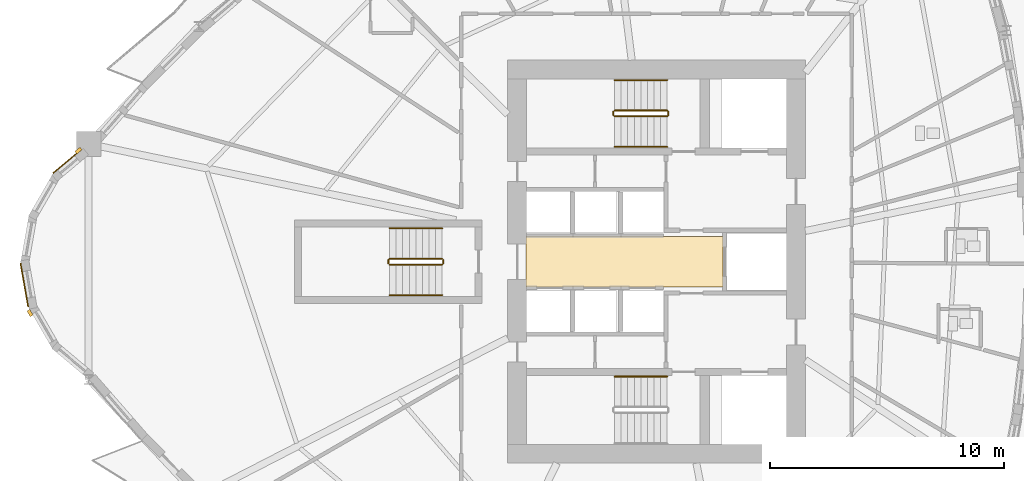
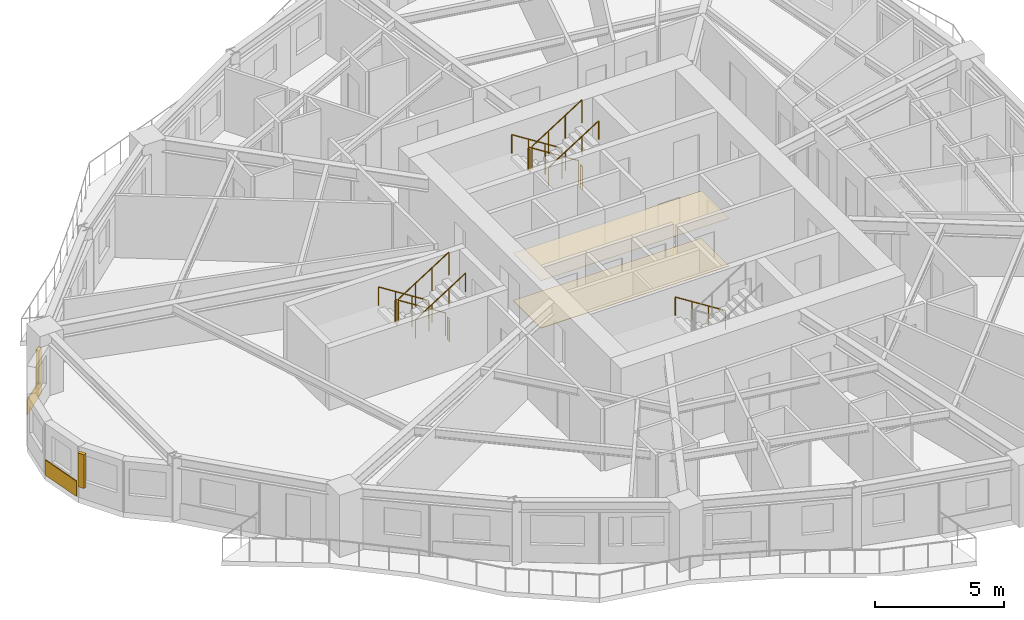
# One storey, part 11 of 13: 13 railings, 4 coverings, 2 shading devices.
"""IFC4 building model written with IfcOpenShell, lengths in metres."""

from ifc_helpers import new_model, si_unit, direction, frame, origin, origin_2d, place, context, subcontext, project, spatial, polyline, rectangle, circle, outline, extrude, source, transform, mapped, material, layer, layer_set, type_object, element, save


model = new_model("IFC4")

# Units and contexts
model_context = context("Model", 3, precision=1e-05, world=origin(), true_north=direction((0.0, 1.0)))
body_context = subcontext(model_context, "Body", "Model", "MODEL_VIEW")
ifc_project = project(units=[si_unit("LENGTHUNIT", "METRE"), si_unit("AREAUNIT", "SQUARE_METRE"), si_unit("VOLUMEUNIT", "CUBIC_METRE"), si_unit("PLANEANGLEUNIT", "RADIAN"), si_unit("MASSUNIT", "GRAM", prefix="KILO")], contexts=[model_context])

# Site, building, storey
site_placement = place(None, origin())
site = spatial("IfcSite", under=ifc_project, at=site_placement, CompositionType="ELEMENT")
building_placement = place(site_placement, origin())
building = spatial("IfcBuilding", under=site, at=building_placement, Name="Qafzar Sky-Pleat Residences", CompositionType="ELEMENT")
storey_placement = place(building_placement, frame((0.0, 0.0, 49.39990234375)))
storey = spatial("IfcBuildingStorey", under=building, at=storey_placement, Name="L14", CompositionType="ELEMENT", Elevation=49.39990234375)

# Coverings
ifc_material_1 = material(Name="Perforated acoustic gypsum board ceiling")
ifc_layer_1 = layer(ifc_material_1, 0.02001953125)
ifc_layer_set_1 = layer_set([ifc_layer_1], Name="Perforated acoustic gypsum board ceiling")
covering_type_1 = type_object("IfcCoveringType", Name="COV-CEIL-ACOUSTIC", PredefinedType="CEILING", material=ifc_layer_set_1)
covering_1_placement = place(storey_placement, frame((0.0, 0.0, 2.239990234375)))
element("IfcCovering", 1, at=covering_1_placement, inside=storey, type_object=covering_type_1, Name="L14 Passenger Lift Lobby Acoustic Ceiling", PredefinedType="CEILING", context=body_context, shape_type="SweptSolid", body=[
    extrude(outline(polyline([(33.179931640625, 24.919921875), (24.77001953125, 24.919921875), (24.77001953125, 27.080078125), (33.179931640625, 27.080078125), (33.179931640625, 24.919921875)])), origin(), (0.0, 0.0, 1.0), 0.02001953125),
])
ifc_material_2 = material(Name="Honed porcelain and Riyadh stone tile flooring", Category="masonry")
ifc_layer_2 = layer(ifc_material_2, 0.02001953125)
ifc_layer_set_2 = layer_set([ifc_layer_2], Name="Honed porcelain and Riyadh stone tile flooring")
covering_type_2 = type_object("IfcCoveringType", Name="COV-FLR-PORCELAIN", PredefinedType="FLOORING", material=ifc_layer_set_2)
covering_2_placement = place(storey_placement, origin())
element("IfcCovering", 2, at=covering_2_placement, inside=storey, type_object=covering_type_2, Name="L14 Passenger Lift Lobby Honed Stone Flooring", PredefinedType="FLOORING", context=body_context, shape_type="SweptSolid", body=[
    extrude(outline(polyline([(33.179931640625, 24.919921875), (24.77001953125, 24.919921875), (24.77001953125, 27.080078125), (33.179931640625, 27.080078125), (33.179931640625, 24.919921875)])), origin(), (0.0, 0.0, 1.0), 0.02001953125),
])
ifc_material_3 = material(Name="Honed Riyadh Tuwaiq limestone cladding", Category="masonry")
ifc_layer_3 = layer(ifc_material_3, 0.044921875)
ifc_layer_set_3 = layer_set([ifc_layer_3], Name="Honed Riyadh Tuwaiq limestone cladding")
covering_type_3 = type_object("IfcCoveringType", Name="COV-CLAD-STONE", PredefinedType="CLADDING", material=ifc_layer_set_3)
shared_shape_1 = source(origin(), body_context, "Body", "SweptSolid", [
    extrude(rectangle(XDim=1.5771484375, YDim=0.044921875, at=origin_2d()), origin(), (0.0, 0.0, 1.0), 0.719970703125),
])
covering_3_placement = place(storey_placement, frame((5.204833984375, 30.28369140625, 0.02001953125), z_axis=(0.0, 0.0, 1.0), x_axis=(-0.766074606481, -0.642751660678, 0.0)))
element("IfcCovering", 3, at=covering_3_placement, inside=storey, type_object=covering_type_3, Name="L14 Riyadh Limestone Spandrel Cladding 1", PredefinedType="CLADDING", context=body_context, shape_type="MappedRepresentation", body=[
    mapped(shared_shape_1, transform((0.0, 0.0, 0.0), x_axis=(1.0, 0.0, 0.0), y_axis=(0.0, 1.0, 0.0), z_axis=(0.0, 0.0, 1.0), scale=1.0)),
])

# Shading devices
ifc_material_4 = material(Name="Honed Riyadh limestone solar fin", Category="masonry")
ifc_layer_4 = layer(ifc_material_4, 0.139892578125)
ifc_layer_set_4 = layer_set([ifc_layer_4], Name="Honed Riyadh limestone solar fin")
shading_device_type = type_object("IfcShadingDeviceType", Name="SHD-FIN-STONE", PredefinedType="SHUTTER", material=ifc_layer_set_4)
shared_shape_2 = source(origin(), body_context, "Body", "SweptSolid", [
    extrude(rectangle(XDim=0.139892578125, YDim=0.280029296875, at=origin_2d()), origin(), (0.0, 0.0, 1.0), 1.60009765625),
])
for number, where, z_axis, x_axis, name in (
    (4, (5.682861328125, 30.740966796875, 0.60009765625), (0.0, 0.0, 1.0), (-0.642754210861, 0.76607246682, 0.0), "L14 Limestone Solar Fin 1"),
    (5, (3.614501953125, 23.80859375, 0.60009765625), (0.0, 0.0, 1.0), (-0.86604422228, -0.499967403994, 0.0), "L14 Limestone Solar Fin 5"),
):
    element("IfcShadingDevice", number, at=place(storey_placement, frame(where, z_axis=z_axis, x_axis=x_axis)), inside=storey, type_object=shading_device_type, Name=name, PredefinedType="SHUTTER", context=body_context, shape_type="MappedRepresentation", body=[
        mapped(shared_shape_2, transform((0.0, 0.0, 0.0), x_axis=(1.0, 0.0, 0.0), y_axis=(0.0, 1.0, 0.0), z_axis=(0.0, 0.0, 1.0), scale=1.0)),
    ])

# Covering
shared_shape_3 = source(origin(), body_context, "Body", "SweptSolid", [
    extrude(rectangle(XDim=1.88134765625, YDim=0.044921875, at=origin_2d()), origin(), (0.0, 0.0, 1.0), 0.719970703125),
])
covering_4_placement = place(storey_placement, frame((3.373291015625, 25.00439453125, 0.02001953125), z_axis=(0.0, 0.0, 1.0), x_axis=(0.173662519465, -0.984805224059, 0.0)))
element("IfcCovering", 6, at=covering_4_placement, inside=storey, type_object=covering_type_3, Name="L14 Riyadh Limestone Spandrel Cladding 4", PredefinedType="CLADDING", context=body_context, shape_type="MappedRepresentation", body=[
    mapped(shared_shape_3, transform((0.0, 0.0, 0.0), x_axis=(1.0, 0.0, 0.0), y_axis=(0.0, 1.0, 0.0), z_axis=(0.0, 0.0, 1.0), scale=1.0)),
])

# Railings
ifc_material_5 = material(Name="Painted Steel S355 stair guardrail", Category="steel")
railing_type_1 = type_object("IfcRailingType", Name="RAIL-STAIR-GUARD", PredefinedType="GUARDRAIL", material=ifc_material_5)
shared_shape_4 = source(origin(), body_context, "Body", "SweptSolid", [
    extrude(circle(Radius=0.02392578125, at=origin_2d()), frame((0.0, 0.0, 1.076171875), z_axis=(0.0, -1.0, 0.0), x_axis=(1.0, 0.0, 0.0)), (0.0, 0.0, 1.0), 0.14990234375),
    extrude(circle(Radius=0.02099609375, at=origin_2d()), origin(), (0.0, 0.0, 1.0), 1.052001953125),
    extrude(circle(Radius=0.02099609375, at=origin_2d()), frame((0.0, -0.14990234375, 0.0)), (0.0, 0.0, 1.0), 1.052001953125),
])
for number, where, name in (
    (7, (28.510009765625, 32.39990234375, 1.60009765625), "L14 ST2 stair guard 2"),
    (8, (30.85009765625, 32.39990234375, 0.0), "L14 ST2 stair guard 4"),
    (9, (18.909912109375, 26.074951171875, 1.60009765625), "L14 ST3 stair guard 2"),
    (10, (21.25, 26.074951171875, 0.0), "L14 ST3 stair guard 4"),
):
    element("IfcRailing", number, at=place(storey_placement, frame(where)), inside=storey, type_object=railing_type_1, Name=name, PredefinedType="GUARDRAIL", context=body_context, shape_type="MappedRepresentation", body=[
        mapped(shared_shape_4, transform((0.0, 0.0, 0.0), x_axis=(1.0, 0.0, 0.0), y_axis=(0.0, 1.0, 0.0), z_axis=(0.0, 0.0, 1.0), scale=1.0)),
    ])
shared_shape_5 = source(origin(), body_context, "Body", "SweptSolid", [
    extrude(circle(Radius=0.02392578125, at=origin_2d()), frame((0.0, 0.0, 1.076171875), z_axis=(-0.8442293374, 0.0, 0.53598211339), x_axis=(0.0, -1.0, 0.0)), (0.0, 0.0, 1.0), 2.6533203125),
    extrude(circle(Radius=0.02099609375, at=origin_2d()), origin(), (0.0, 0.0, 1.0), 1.052001953125),
    extrude(circle(Radius=0.02099609375, at=origin_2d()), frame((-0.74658203125, 0.0, 0.47412109375)), (0.0, 0.0, 1.0), 1.052001953125),
    extrude(circle(Radius=0.02099609375, at=origin_2d()), frame((-1.493408203125, 0.0, 0.947998046875)), (0.0, 0.0, 1.0), 1.052001953125),
    extrude(circle(Radius=0.02099609375, at=origin_2d()), frame((-2.239990234375, 0.0, 1.422119140625)), (0.0, 0.0, 1.0), 1.052001953125),
])
for number, where, name in (
    (11, (30.800048828125, 32.449951171875, 0.177978515625), "L14 ST2 stair guard 1"),
    (12, (21.199951171875, 26.125, 0.177978515625), "L14 ST3 stair guard 1"),
):
    element("IfcRailing", number, at=place(storey_placement, frame(where)), inside=storey, type_object=railing_type_1, Name=name, PredefinedType="GUARDRAIL", context=body_context, shape_type="MappedRepresentation", body=[
        mapped(shared_shape_5, transform((0.0, 0.0, 0.0), x_axis=(1.0, 0.0, 0.0), y_axis=(0.0, 1.0, 0.0), z_axis=(0.0, 0.0, 1.0), scale=1.0)),
    ])
ifc_material_6 = material(Name="Brushed stainless steel handrail", Category="steel")
railing_type_2 = type_object("IfcRailingType", Name="RAIL-STAIR-HAND", PredefinedType="HANDRAIL", material=ifc_material_6)
shared_shape_6 = source(origin(), body_context, "Body", "SweptSolid", [
    extrude(circle(Radius=0.02392578125, at=origin_2d()), frame((0.0, 0.0, 0.8759765625), z_axis=(-0.8442293374, 0.0, 0.53598211339), x_axis=(0.0, -1.0, 0.0)), (0.0, 0.0, 1.0), 2.6533203125),
    extrude(circle(Radius=0.02099609375, at=origin_2d()), origin(), (0.0, 0.0, 1.0), 0.851806640625),
    extrude(circle(Radius=0.02099609375, at=origin_2d()), frame((-0.74658203125, 0.0, 0.47412109375)), (0.0, 0.0, 1.0), 0.851806640625),
    extrude(circle(Radius=0.02099609375, at=origin_2d()), frame((-1.493408203125, 0.0, 0.947998046875)), (0.0, 0.0, 1.0), 0.851806640625),
    extrude(circle(Radius=0.02099609375, at=origin_2d()), frame((-2.239990234375, 0.0, 1.422119140625)), (0.0, 0.0, 1.0), 0.851806640625),
])
for number, where, name in (
    (13, (30.800048828125, 21.10009765625, 0.177978515625), "L14 ST1 stair handrail 1"),
    (14, (30.800048828125, 33.75, 0.177978515625), "L14 ST2 stair handrail 1"),
    (15, (21.199951171875, 27.425048828125, 0.177978515625), "L14 ST3 stair handrail 1"),
):
    element("IfcRailing", number, at=place(storey_placement, frame(where)), inside=storey, type_object=railing_type_2, Name=name, PredefinedType="HANDRAIL", context=body_context, shape_type="MappedRepresentation", body=[
        mapped(shared_shape_6, transform((0.0, 0.0, 0.0), x_axis=(1.0, 0.0, 0.0), y_axis=(0.0, 1.0, 0.0), z_axis=(0.0, 0.0, 1.0), scale=1.0)),
    ])
shared_shape_7 = source(origin(), body_context, "Body", "SweptSolid", [
    extrude(circle(Radius=0.02392578125, at=origin_2d()), frame((0.0, 0.0, 1.076171875), z_axis=(0.84418770128, 0.0, 0.536047689118), x_axis=(0.0, 1.0, 0.0)), (0.0, 0.0, 1.0), 2.6533203125),
    extrude(circle(Radius=0.02099609375, at=origin_2d()), origin(), (0.0, 0.0, 1.0), 1.052001953125),
    extrude(circle(Radius=0.02099609375, at=origin_2d()), frame((0.74658203125, 0.0, 0.47412109375)), (0.0, 0.0, 1.0), 1.052001953125),
    extrude(circle(Radius=0.02099609375, at=origin_2d()), frame((1.493408203125, 0.0, 0.9482421875)), (0.0, 0.0, 1.0), 1.052001953125),
    extrude(circle(Radius=0.02099609375, at=origin_2d()), frame((2.239990234375, 0.0, 1.42236328125)), (0.0, 0.0, 1.0), 1.052001953125),
])
for number, where, name in (
    (16, (28.56005859375, 32.199951171875, 1.77783203125), "L14 ST2 stair guard 3"),
    (17, (18.9599609375, 25.875, 1.77783203125), "L14 ST3 stair guard 3"),
):
    element("IfcRailing", number, at=place(storey_placement, frame(where)), inside=storey, type_object=railing_type_1, Name=name, PredefinedType="GUARDRAIL", context=body_context, shape_type="MappedRepresentation", body=[
        mapped(shared_shape_7, transform((0.0, 0.0, 0.0), x_axis=(1.0, 0.0, 0.0), y_axis=(0.0, 1.0, 0.0), z_axis=(0.0, 0.0, 1.0), scale=1.0)),
    ])
shared_shape_8 = source(origin(), body_context, "Body", "SweptSolid", [
    extrude(circle(Radius=0.02392578125, at=origin_2d()), frame((0.0, 0.0, 0.8759765625), z_axis=(0.84418770128, 0.0, 0.536047689118), x_axis=(0.0, 1.0, 0.0)), (0.0, 0.0, 1.0), 2.6533203125),
    extrude(circle(Radius=0.02099609375, at=origin_2d()), origin(), (0.0, 0.0, 1.0), 0.851806640625),
    extrude(circle(Radius=0.02099609375, at=origin_2d()), frame((0.74658203125, 0.0, 0.47412109375)), (0.0, 0.0, 1.0), 0.851806640625),
    extrude(circle(Radius=0.02099609375, at=origin_2d()), frame((1.493408203125, 0.0, 0.9482421875)), (0.0, 0.0, 1.0), 0.851806640625),
    extrude(circle(Radius=0.02099609375, at=origin_2d()), frame((2.239990234375, 0.0, 1.42236328125)), (0.0, 0.0, 1.0), 0.851806640625),
])
for number, where, name in (
    (18, (28.56005859375, 30.89990234375, 1.77783203125), "L14 ST2 stair handrail 2"),
    (19, (18.9599609375, 24.574951171875, 1.77783203125), "L14 ST3 stair handrail 2"),
):
    element("IfcRailing", number, at=place(storey_placement, frame(where)), inside=storey, type_object=railing_type_2, Name=name, PredefinedType="HANDRAIL", context=body_context, shape_type="MappedRepresentation", body=[
        mapped(shared_shape_8, transform((0.0, 0.0, 0.0), x_axis=(1.0, 0.0, 0.0), y_axis=(0.0, 1.0, 0.0), z_axis=(0.0, 0.0, 1.0), scale=1.0)),
    ])

save(model, "model.ifc")
